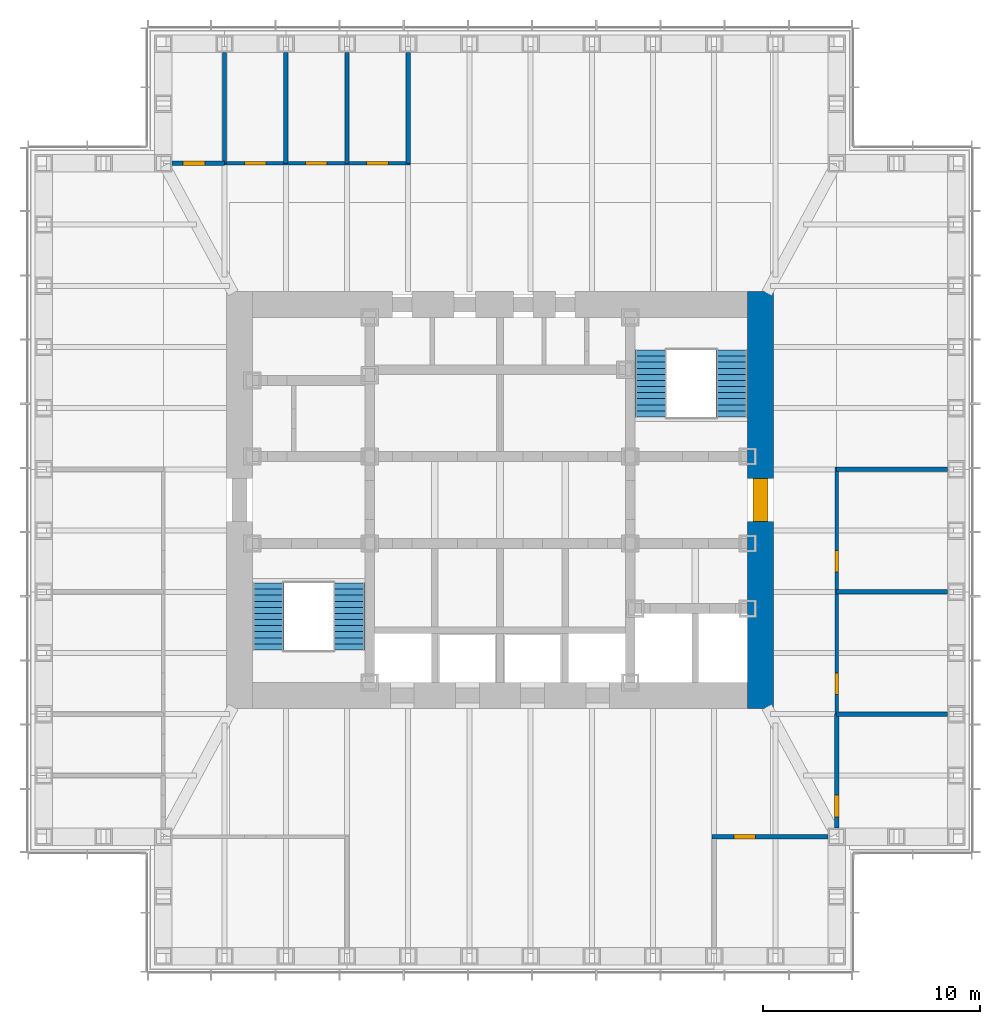
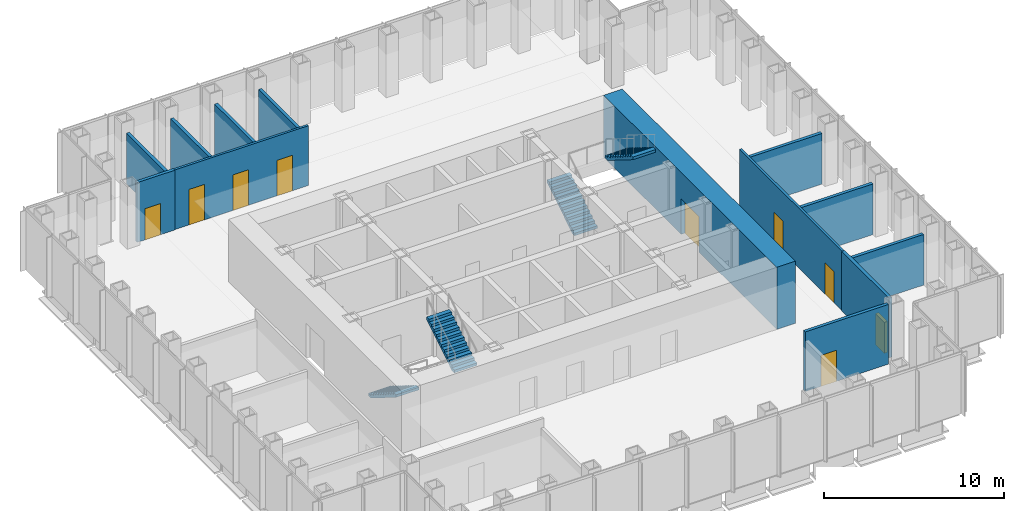
# One storey, part 10 of 16: 13 walls, 9 doors, 4 stair flights, 9 openings, 2 elements without a shape of their own.
"""IFC4 building model written with IfcOpenShell, lengths in metres."""

from ifc_helpers import new_model, si_unit, direction, frame, frame_2d, origin, place, context, subcontext, project, spatial, polyline, rectangle, outline, extrude, material, layer, layer_set, type_object, element, fill, aggregate, save


model = new_model("IFC4")

# Units and contexts
model_context = context("Model", 3, precision=1e-05, world=origin(), true_north=direction((0.0, 1.0)))
body_context = subcontext(model_context, "Body", "Model", "MODEL_VIEW")
ifc_project = project(units=[si_unit("LENGTHUNIT", "METRE"), si_unit("AREAUNIT", "SQUARE_METRE"), si_unit("VOLUMEUNIT", "CUBIC_METRE"), si_unit("PLANEANGLEUNIT", "RADIAN"), si_unit("MASSUNIT", "GRAM", prefix="KILO")], contexts=[model_context])

# Site, building, storey
site_placement = place(None, origin())
site = spatial("IfcSite", under=ifc_project, at=site_placement, CompositionType="ELEMENT")
building_placement = place(site_placement, origin())
building = spatial("IfcBuilding", under=site, at=building_placement, Name="Daluyong Arena Tower", CompositionType="ELEMENT")
storey_placement = place(building_placement, frame((0.0, 0.0, 235.89990234375)))
storey = spatial("IfcBuildingStorey", under=building, at=storey_placement, Name="L53", CompositionType="ELEMENT", Elevation=235.89990234375)

# Wall, opening, door
ifc_material_1 = material(Name="Concrete fc' 60 MPa", Category="concrete")
ifc_layer_1 = layer(ifc_material_1, 1.199951171875)
ifc_layer_set_1 = layer_set([ifc_layer_1], Name="Concrete fc' 60 MPa")
wall_type_1 = type_object("IfcWallType", Name="Core wall 1200", PredefinedType="SHEAR", material=ifc_layer_set_1)
wall_1_placement = place(storey_placement, frame((68.0, 70.39990234375, 0.0), z_axis=(0.0, 0.0, 1.0), x_axis=(0.0, 1.0, 0.0)))
wall_1 = element("IfcWall", 1, at=wall_1_placement, inside=storey, type_object=wall_type_1, Name="core wall at L53", PredefinedType="SHEAR", context=body_context, shape_type="SweptSolid", body=[
    extrude(rectangle(XDim=19.2001953125, YDim=1.199951171875, at=frame_2d((9.60009765625, 0.0))), origin(), (0.0, 0.0, 1.0), 4.2001953125),
])
opening_1_placement = place(wall_1_placement, frame((8.60009765625, 0.0, 0.0)))
opening_1 = element("IfcOpeningElement", 2, at=opening_1_placement, cuts=wall_1, Name="Opening 53020", PredefinedType="OPENING", context=body_context, shape_type="SweptSolid", body=[
    extrude(rectangle(XDim=2.0, YDim=2.39990234375, at=frame_2d((1.0, 1.199951171875))), frame((0.0, 0.60986328125, 0.0), z_axis=(0.0, -1.0, 0.0), x_axis=(1.0, 0.0, 0.0)), (0.0, 0.0, 1.0), 1.219970703125),
])
ifc_material_2 = material(Name="Steel door, fire rated", Category="steel")
door_type_1 = type_object("IfcDoorType", Name="Core lobby double door 2000", OperationType="DOUBLE_DOOR_SINGLE_SWING", PredefinedType="DOOR", material=ifc_material_2)
door_1_placement = place(opening_1_placement, origin())
door_1 = element("IfcDoor", 3, at=door_1_placement, inside=storey, type_object=door_type_1, Name="core lobby door east 53020", OperationType="DOUBLE_DOOR_SINGLE_SWING", OverallHeight=2.39990234375, OverallWidth=2.0, PredefinedType="DOOR", context=body_context, shape_type="SweptSolid", body=[
    extrude(rectangle(XDim=2.0, YDim=2.39990234375, at=frame_2d((1.0, 1.199951171875))), frame((0.0, 0.35009765625, 0.0), z_axis=(0.0, -1.0, 0.0), x_axis=(1.0, 0.0, 0.0)), (0.0, 0.0, 1.0), 0.699951171875),
])
fill(opening_1, door_1)

# Wall, openings, doors
ifc_material_3 = material(Name="Glazed aluminium partition", Category="aluminium")
ifc_layer_2 = layer(ifc_material_3, 0.14990234375)
ifc_layer_set_2 = layer_set([ifc_layer_2], Name="Glazed aluminium partition")
wall_type_2 = type_object("IfcWallType", Name="Glazed partition 150", PredefinedType="PARTITIONING", material=ifc_layer_set_2)
wall_2_placement = place(storey_placement, frame((43.318115234375, 95.5, 0.0), z_axis=(0.0, 0.0, 1.0), x_axis=(1.0, 0.0, 0.0)))
wall_2 = element("IfcWall", 4, at=wall_2_placement, inside=storey, type_object=wall_type_2, Name="glazed partition at L53", PredefinedType="PARTITIONING", context=body_context, shape_type="SweptSolid", body=[
    extrude(rectangle(XDim=8.5546875, YDim=0.14990234375, at=frame_2d((4.27734375, 0.0))), origin(), (0.0, 0.0, 1.0), 4.0400390625),
])
opening_2_placement = place(wall_2_placement, frame((0.9091796875, 0.0, 0.0)))
opening_2 = element("IfcOpeningElement", 5, at=opening_2_placement, cuts=wall_2, Name="Opening 53036", PredefinedType="OPENING", context=body_context, shape_type="SweptSolid", body=[
    extrude(rectangle(XDim=1.0, YDim=2.39990234375, at=frame_2d((0.5, 1.199951171875))), frame((0.0, 0.0849609375, 0.0), z_axis=(0.0, -1.0, 0.0), x_axis=(1.0, 0.0, 0.0)), (0.0, 0.0, 1.0), 0.169921875),
])
opening_3_placement = place(wall_2_placement, frame((3.727294921875, 0.0, 0.0)))
opening_3 = element("IfcOpeningElement", 6, at=opening_3_placement, cuts=wall_2, Name="Opening 53037", PredefinedType="OPENING", context=body_context, shape_type="SweptSolid", body=[
    extrude(rectangle(XDim=1.0, YDim=2.39990234375, at=frame_2d((0.5, 1.199951171875))), frame((0.0, 0.0849609375, 0.0), z_axis=(0.0, -1.0, 0.0), x_axis=(1.0, 0.0, 0.0)), (0.0, 0.0, 1.0), 0.169921875),
])
opening_4_placement = place(wall_2_placement, frame((6.54541015625, 0.0, 0.0)))
opening_4 = element("IfcOpeningElement", 7, at=opening_4_placement, cuts=wall_2, Name="Opening 53038", PredefinedType="OPENING", context=body_context, shape_type="SweptSolid", body=[
    extrude(rectangle(XDim=1.0, YDim=2.39990234375, at=frame_2d((0.5, 1.199951171875))), frame((0.0, 0.0849609375, 0.0), z_axis=(0.0, -1.0, 0.0), x_axis=(1.0, 0.0, 0.0)), (0.0, 0.0, 1.0), 0.169921875),
])
ifc_material_4 = material(Name="Glazed aluminium door", Category="aluminium")
door_type_2 = type_object("IfcDoorType", Name="Meeting room glazed door 1000", OperationType="SINGLE_SWING_RIGHT", PredefinedType="DOOR", material=ifc_material_4)
door_2_placement = place(opening_2_placement, origin())
door_2 = element("IfcDoor", 8, at=door_2_placement, inside=storey, type_object=door_type_2, Name="focus room door 53036", OperationType="SINGLE_SWING_RIGHT", OverallHeight=2.39990234375, OverallWidth=1.0, PredefinedType="DOOR", context=body_context, shape_type="SweptSolid", body=[
    extrude(rectangle(XDim=1.0, YDim=2.39990234375, at=frame_2d((0.5, 1.199951171875))), frame((0.0, 0.07470703125, 0.0), z_axis=(0.0, -1.0, 0.0), x_axis=(1.0, 0.0, 0.0)), (0.0, 0.0, 1.0), 0.1494140625),
])
fill(opening_2, door_2)
door_3_placement = place(opening_3_placement, origin())
door_3 = element("IfcDoor", 9, at=door_3_placement, inside=storey, type_object=door_type_2, Name="focus room door 53037", OperationType="SINGLE_SWING_RIGHT", OverallHeight=2.39990234375, OverallWidth=1.0, PredefinedType="DOOR", context=body_context, shape_type="SweptSolid", body=[
    extrude(rectangle(XDim=1.0, YDim=2.39990234375, at=frame_2d((0.5, 1.199951171875))), frame((0.0, 0.07470703125, 0.0), z_axis=(0.0, -1.0, 0.0), x_axis=(1.0, 0.0, 0.0)), (0.0, 0.0, 1.0), 0.1494140625),
])
fill(opening_3, door_3)
door_4_placement = place(opening_4_placement, origin())
door_4 = element("IfcDoor", 10, at=door_4_placement, inside=storey, type_object=door_type_2, Name="focus room door 53038", OperationType="SINGLE_SWING_RIGHT", OverallHeight=2.39990234375, OverallWidth=1.0, PredefinedType="DOOR", context=body_context, shape_type="SweptSolid", body=[
    extrude(rectangle(XDim=1.0, YDim=2.39990234375, at=frame_2d((0.5, 1.199951171875))), frame((0.0, 0.07470703125, 0.0), z_axis=(0.0, -1.0, 0.0), x_axis=(1.0, 0.0, 0.0)), (0.0, 0.0, 1.0), 0.1494140625),
])
fill(opening_4, door_4)

wall_3_placement = place(storey_placement, frame((71.5, 70.136474609375, 0.0), z_axis=(0.0, 0.0, 1.0), x_axis=(0.0, 1.0, 0.0)))
wall_3 = element("IfcWall", 11, at=wall_3_placement, inside=storey, type_object=wall_type_2, Name="glazed partition at L53", PredefinedType="PARTITIONING", context=body_context, shape_type="SweptSolid", body=[
    extrude(rectangle(XDim=11.37255859375, YDim=0.14990234375, at=frame_2d((5.686279296875, 0.0))), origin(), (0.0, 0.0, 1.0), 4.0400390625),
])
opening_5_placement = place(wall_3_placement, frame((0.9091796875, 0.0, 0.0)))
opening_5 = element("IfcOpeningElement", 12, at=opening_5_placement, cuts=wall_3, Name="Opening 53033", PredefinedType="OPENING", context=body_context, shape_type="SweptSolid", body=[
    extrude(rectangle(XDim=1.0, YDim=2.10009765625, at=frame_2d((0.5, 1.050048828125))), frame((0.0, 0.0849609375, 0.0), z_axis=(0.0, -1.0, 0.0), x_axis=(1.0, 0.0, 0.0)), (0.0, 0.0, 1.0), 0.169921875),
])
opening_6_placement = place(wall_3_placement, frame((6.54541015625, 0.0, 0.0)))
opening_6 = element("IfcOpeningElement", 13, at=opening_6_placement, cuts=wall_3, Name="Opening 53034", PredefinedType="OPENING", context=body_context, shape_type="SweptSolid", body=[
    extrude(rectangle(XDim=1.0, YDim=2.10009765625, at=frame_2d((0.5, 1.050048828125))), frame((0.0, 0.0849609375, 0.0), z_axis=(0.0, -1.0, 0.0), x_axis=(1.0, 0.0, 0.0)), (0.0, 0.0, 1.0), 0.169921875),
])
ifc_material_5 = material(Name="Timber door", Category="wood")
door_type_3 = type_object("IfcDoorType", Name="Room door 1000", OperationType="SINGLE_SWING_LEFT", PredefinedType="DOOR", material=ifc_material_5)
door_5_placement = place(opening_5_placement, origin())
door_5 = element("IfcDoor", 14, at=door_5_placement, inside=storey, type_object=door_type_3, Name="executive office door 53033", OperationType="SINGLE_SWING_LEFT", OverallHeight=2.10009765625, OverallWidth=1.0, PredefinedType="DOOR", context=body_context, shape_type="SweptSolid", body=[
    extrude(rectangle(XDim=1.0, YDim=2.10009765625, at=frame_2d((0.5, 1.050048828125))), frame((0.0, 0.07470703125, 0.0), z_axis=(0.0, -1.0, 0.0), x_axis=(1.0, 0.0, 0.0)), (0.0, 0.0, 1.0), 0.1494140625),
])
fill(opening_5, door_5)
door_6_placement = place(opening_6_placement, origin())
door_6 = element("IfcDoor", 15, at=door_6_placement, inside=storey, type_object=door_type_3, Name="executive office door 53034", OperationType="SINGLE_SWING_LEFT", OverallHeight=2.10009765625, OverallWidth=1.0, PredefinedType="DOOR", context=body_context, shape_type="SweptSolid", body=[
    extrude(rectangle(XDim=1.0, YDim=2.10009765625, at=frame_2d((0.5, 1.050048828125))), frame((0.0, 0.07470703125, 0.0), z_axis=(0.0, -1.0, 0.0), x_axis=(1.0, 0.0, 0.0)), (0.0, 0.0, 1.0), 0.1494140625),
])
fill(opening_6, door_6)

# Walls
ifc_material_6 = material(Name="Concrete block partition", Category="concrete")
ifc_layer_3 = layer(ifc_material_6, 0.199951171875)
ifc_layer_set_3 = layer_set([ifc_layer_3], Name="Concrete block partition")
wall_type_3 = type_object("IfcWallType", Name="Partition 200", PredefinedType="PARTITIONING", material=ifc_layer_set_3)
for number, where, z_axis, x_axis, name in (
    (16, (71.5, 70.136474609375, 0.0), (0.0, 0.0, 1.0), (1.0, 0.0, 0.0), "partition at L53"),
    (17, (71.5, 75.772705078125, 0.0), (0.0, 0.0, 1.0), (1.0, 0.0, 0.0), "partition at L53"),
    (18, (71.5, 81.4091796875, 0.0), (0.0, 0.0, 1.0), (1.0, 0.0, 0.0), "partition at L53"),
    (19, (43.318115234375, 95.5, 0.0), (0.0, 0.0, 1.0), (0.0, 1.0, 0.0), "partition at L53"),
    (20, (46.136474609375, 95.5, 0.0), (0.0, 0.0, 1.0), (0.0, 1.0, 0.0), "partition at L53"),
    (21, (48.95458984375, 95.5, 0.0), (0.0, 0.0, 1.0), (0.0, 1.0, 0.0), "partition at L53"),
    (22, (51.772705078125, 95.5, 0.0), (0.0, 0.0, 1.0), (0.0, 1.0, 0.0), "partition at L53"),
):
    element("IfcWall", number, at=place(storey_placement, frame(where, z_axis=z_axis, x_axis=x_axis)), inside=storey, type_object=wall_type_3, Name=name, PredefinedType="PARTITIONING", context=body_context, shape_type="SweptSolid", body=[
        extrude(rectangle(XDim=5.10009765625, YDim=0.199951171875, at=frame_2d((2.550048828125, 0.0))), origin(), (0.0, 0.0, 1.0), 3.427978515625),
    ])

# Wall, opening, door
wall_4_placement = place(storey_placement, frame((65.763671875, 64.5, 0.0), z_axis=(0.0, 0.0, 1.0), x_axis=(1.0, 0.0, 0.0)))
wall_4 = element("IfcWall", 23, at=wall_4_placement, inside=storey, type_object=wall_type_3, Name="partition at L53", PredefinedType="PARTITIONING", context=body_context, shape_type="SweptSolid", body=[
    extrude(rectangle(XDim=5.33642578125, YDim=0.199951171875, at=frame_2d((2.668212890625, 0.0))), origin(), (0.0, 0.0, 1.0), 4.0400390625),
])
opening_7_placement = place(wall_4_placement, frame((1.009033203125, 0.0, 0.0)))
opening_7 = element("IfcOpeningElement", 24, at=opening_7_placement, cuts=wall_4, Name="Opening 53031", PredefinedType="OPENING", context=body_context, shape_type="SweptSolid", body=[
    extrude(rectangle(XDim=1.0, YDim=2.10009765625, at=frame_2d((0.5, 1.050048828125))), frame((0.0, 0.10986328125, 0.0), z_axis=(0.0, -1.0, 0.0), x_axis=(1.0, 0.0, 0.0)), (0.0, 0.0, 1.0), 0.219970703125),
])
door_7_placement = place(opening_7_placement, origin())
door_7 = element("IfcDoor", 25, at=door_7_placement, inside=storey, type_object=door_type_3, Name="pantry door 53031", OperationType="SINGLE_SWING_LEFT", OverallHeight=2.10009765625, OverallWidth=1.0, PredefinedType="DOOR", context=body_context, shape_type="SweptSolid", body=[
    extrude(rectangle(XDim=1.0, YDim=2.10009765625, at=frame_2d((0.5, 1.050048828125))), frame((0.0, 0.099609375, 0.0), z_axis=(0.0, -1.0, 0.0), x_axis=(1.0, 0.0, 0.0)), (0.0, 0.0, 1.0), 0.199462890625),
])
fill(opening_7, door_7)

wall_5_placement = place(storey_placement, frame((40.89990234375, 95.5, 0.0), z_axis=(0.0, 0.0, 1.0), x_axis=(1.0, 0.0, 0.0)))
wall_5 = element("IfcWall", 26, at=wall_5_placement, inside=storey, type_object=wall_type_3, Name="partition at L53", PredefinedType="PARTITIONING", context=body_context, shape_type="SweptSolid", body=[
    extrude(rectangle(XDim=2.418212890625, YDim=0.199951171875, at=frame_2d((1.208984375, 0.0))), origin(), (0.0, 0.0, 1.0), 4.0400390625),
])
opening_8_placement = place(wall_5_placement, frame((0.509033203125, 0.0, 0.0)))
opening_8 = element("IfcOpeningElement", 27, at=opening_8_placement, cuts=wall_5, Name="Opening 53035", PredefinedType="OPENING", context=body_context, shape_type="SweptSolid", body=[
    extrude(rectangle(XDim=1.0, YDim=2.10009765625, at=frame_2d((0.5, 1.050048828125))), frame((0.0, 0.10986328125, 0.0), z_axis=(0.0, -1.0, 0.0), x_axis=(1.0, 0.0, 0.0)), (0.0, 0.0, 1.0), 0.219970703125),
])
door_8_placement = place(opening_8_placement, origin())
door_8 = element("IfcDoor", 28, at=door_8_placement, inside=storey, type_object=door_type_3, Name="quiet room door 53035", OperationType="SINGLE_SWING_LEFT", OverallHeight=2.10009765625, OverallWidth=1.0, PredefinedType="DOOR", context=body_context, shape_type="SweptSolid", body=[
    extrude(rectangle(XDim=1.0, YDim=2.10009765625, at=frame_2d((0.5, 1.050048828125))), frame((0.0, 0.099609375, 0.0), z_axis=(0.0, -1.0, 0.0), x_axis=(1.0, 0.0, 0.0)), (0.0, 0.0, 1.0), 0.199462890625),
])
fill(opening_8, door_8)

wall_6_placement = place(storey_placement, frame((71.5, 64.89990234375, 0.0), z_axis=(0.0, 0.0, 1.0), x_axis=(0.0, 1.0, 0.0)))
wall_6 = element("IfcWall", 29, at=wall_6_placement, inside=storey, type_object=wall_type_3, Name="partition at L53", PredefinedType="PARTITIONING", context=body_context, shape_type="SweptSolid", body=[
    extrude(rectangle(XDim=5.236572265625, YDim=0.199951171875, at=frame_2d((2.6181640625, 0.0))), origin(), (0.0, 0.0, 1.0), 4.0400390625),
])
opening_9_placement = place(wall_6_placement, frame((0.509033203125, 0.0, 0.0)))
opening_9 = element("IfcOpeningElement", 30, at=opening_9_placement, cuts=wall_6, Name="Opening 53032", PredefinedType="OPENING", context=body_context, shape_type="SweptSolid", body=[
    extrude(rectangle(XDim=1.0, YDim=2.10009765625, at=frame_2d((0.5, 1.050048828125))), frame((0.0, 0.10986328125, 0.0), z_axis=(0.0, -1.0, 0.0), x_axis=(1.0, 0.0, 0.0)), (0.0, 0.0, 1.0), 0.219970703125),
])
door_9_placement = place(opening_9_placement, origin())
door_9 = element("IfcDoor", 31, at=door_9_placement, inside=storey, type_object=door_type_3, Name="project room door 53032", OperationType="SINGLE_SWING_LEFT", OverallHeight=2.10009765625, OverallWidth=1.0, PredefinedType="DOOR", context=body_context, shape_type="SweptSolid", body=[
    extrude(rectangle(XDim=1.0, YDim=2.10009765625, at=frame_2d((0.5, 1.050048828125))), frame((0.0, 0.099609375, 0.0), z_axis=(0.0, -1.0, 0.0), x_axis=(1.0, 0.0, 0.0)), (0.0, 0.0, 1.0), 0.199462890625),
])
fill(opening_9, door_9)

# Stair, stair flights
ifc_material_7 = material(Name="Concrete fc' 35 MPa", Category="concrete")
stair_type = type_object("IfcStairType", Name="Core exit stair", PredefinedType="HALF_TURN_STAIR", material=ifc_material_7)
stair_1_placement = place(storey_placement, origin())
stair_1 = element("IfcStair", 32, at=stair_1_placement, inside=storey, type_object=stair_type, Name="exit stair A L53", PredefinedType="HALF_TURN_STAIR")
ifc_material_8 = material(Name="Concrete fc' 35 MPa", Category="concrete")
stair_flight_type = type_object("IfcStairFlightType", Name="Core stair flight", PredefinedType="STRAIGHT", material=ifc_material_8)
stair_flight_1_placement = place(storey_placement, frame((45.324951171875, 76.175048828125, 0.0), z_axis=(0.0, 0.0, 1.0), x_axis=(0.0, -1.0, 0.0)))
stair_flight_1 = element("IfcStairFlight", 33, at=stair_flight_1_placement, type_object=stair_flight_type, Name="STA flight 1", NumberOfRisers=12, NumberOfTreads=11, PredefinedType="STRAIGHT", RiserHeight=0.175, TreadLength=0.28, context=body_context, shape_type="SweptSolid", body=[
    extrude(outline(polyline([(0.0, 0.0), (0.0, 0.175048828125), (0.280029296875, 0.175048828125), (0.280029296875, 0.35009765625), (0.56005859375, 0.35009765625), (0.56005859375, 0.52490234375), (0.840087890625, 0.52490234375), (0.840087890625, 0.699951171875), (1.1201171875, 0.699951171875), (1.1201171875, 0.875), (1.39990234375, 0.875), (1.39990234375, 1.050048828125), (1.679931640625, 1.050048828125), (1.679931640625, 1.22509765625), (1.9599609375, 1.22509765625), (1.9599609375, 1.39990234375), (2.239990234375, 1.39990234375), (2.239990234375, 1.574951171875), (2.52001953125, 1.574951171875), (2.52001953125, 1.75), (2.800048828125, 1.75), (2.800048828125, 1.925048828125), (3.080078125, 1.925048828125), (3.080078125, 2.10009765625), (3.080078125, 1.748291015625), (0.28271484375, 0.0), (0.0, 0.0)])), frame((0.0, 0.72509765625, 0.0), z_axis=(0.0, -1.0, 0.0), x_axis=(1.0, 0.0, 0.0)), (0.0, 0.0, 1.0), 1.449951171875),
])
stair_flight_2_placement = place(storey_placement, frame((49.050048828125, 73.094970703125, 2.10009765625), z_axis=(0.0, 0.0, 1.0), x_axis=(0.0, 1.0, 0.0)))
stair_flight_2 = element("IfcStairFlight", 34, at=stair_flight_2_placement, type_object=stair_flight_type, Name="STA flight 2", NumberOfRisers=12, NumberOfTreads=11, PredefinedType="STRAIGHT", RiserHeight=0.175, TreadLength=0.28, context=body_context, shape_type="SweptSolid", body=[
    extrude(outline(polyline([(0.0, 0.0), (0.0, 0.175048828125), (0.280029296875, 0.175048828125), (0.280029296875, 0.35009765625), (0.56005859375, 0.35009765625), (0.56005859375, 0.52490234375), (0.840087890625, 0.52490234375), (0.840087890625, 0.699951171875), (1.1201171875, 0.699951171875), (1.1201171875, 0.875), (1.39990234375, 0.875), (1.39990234375, 1.050048828125), (1.679931640625, 1.050048828125), (1.679931640625, 1.22509765625), (1.9599609375, 1.22509765625), (1.9599609375, 1.39990234375), (2.239990234375, 1.39990234375), (2.239990234375, 1.574951171875), (2.52001953125, 1.574951171875), (2.52001953125, 1.75), (2.800048828125, 1.75), (2.800048828125, 1.925048828125), (3.080078125, 1.925048828125), (3.080078125, 2.10009765625), (3.080078125, 1.748291015625), (0.28271484375, 0.0), (0.0, 0.0)])), frame((0.0, 0.72509765625, 0.0), z_axis=(0.0, -1.0, 0.0), x_axis=(1.0, 0.0, 0.0)), (0.0, 0.0, 1.0), 1.449951171875),
])
aggregate(stair_1, [stair_flight_1, stair_flight_2])

stair_2_placement = place(storey_placement, origin())
stair_2 = element("IfcStair", 35, at=stair_2_placement, inside=storey, type_object=stair_type, Name="exit stair B L53", PredefinedType="HALF_TURN_STAIR")
stair_flight_3_placement = place(storey_placement, frame((62.949951171875, 83.824951171875, 0.0), z_axis=(0.0, 0.0, 1.0), x_axis=(0.0, 1.0, 0.0)))
stair_flight_3 = element("IfcStairFlight", 36, at=stair_flight_3_placement, type_object=stair_flight_type, Name="STB flight 1", NumberOfRisers=12, NumberOfTreads=11, PredefinedType="STRAIGHT", RiserHeight=0.175, TreadLength=0.28, context=body_context, shape_type="SweptSolid", body=[
    extrude(outline(polyline([(0.0, 0.0), (0.0, 0.175048828125), (0.280029296875, 0.175048828125), (0.280029296875, 0.35009765625), (0.56005859375, 0.35009765625), (0.56005859375, 0.52490234375), (0.840087890625, 0.52490234375), (0.840087890625, 0.699951171875), (1.1201171875, 0.699951171875), (1.1201171875, 0.875), (1.39990234375, 0.875), (1.39990234375, 1.050048828125), (1.679931640625, 1.050048828125), (1.679931640625, 1.22509765625), (1.9599609375, 1.22509765625), (1.9599609375, 1.39990234375), (2.239990234375, 1.39990234375), (2.239990234375, 1.574951171875), (2.52001953125, 1.574951171875), (2.52001953125, 1.75), (2.800048828125, 1.75), (2.800048828125, 1.925048828125), (3.080078125, 1.925048828125), (3.080078125, 2.10009765625), (3.080078125, 1.748291015625), (0.28271484375, 0.0), (0.0, 0.0)])), frame((0.0, 0.72509765625, 0.0), z_axis=(0.0, -1.0, 0.0), x_axis=(1.0, 0.0, 0.0)), (0.0, 0.0, 1.0), 1.449951171875),
])
stair_flight_4_placement = place(storey_placement, frame((66.675048828125, 86.905029296875, 2.10009765625), z_axis=(0.0, 0.0, 1.0), x_axis=(0.0, -1.0, 0.0)))
stair_flight_4 = element("IfcStairFlight", 37, at=stair_flight_4_placement, type_object=stair_flight_type, Name="STB flight 2", NumberOfRisers=12, NumberOfTreads=11, PredefinedType="STRAIGHT", RiserHeight=0.175, TreadLength=0.28, context=body_context, shape_type="SweptSolid", body=[
    extrude(outline(polyline([(0.0, 0.0), (0.0, 0.175048828125), (0.280029296875, 0.175048828125), (0.280029296875, 0.35009765625), (0.56005859375, 0.35009765625), (0.56005859375, 0.52490234375), (0.840087890625, 0.52490234375), (0.840087890625, 0.699951171875), (1.1201171875, 0.699951171875), (1.1201171875, 0.875), (1.39990234375, 0.875), (1.39990234375, 1.050048828125), (1.679931640625, 1.050048828125), (1.679931640625, 1.22509765625), (1.9599609375, 1.22509765625), (1.9599609375, 1.39990234375), (2.239990234375, 1.39990234375), (2.239990234375, 1.574951171875), (2.52001953125, 1.574951171875), (2.52001953125, 1.75), (2.800048828125, 1.75), (2.800048828125, 1.925048828125), (3.080078125, 1.925048828125), (3.080078125, 2.10009765625), (3.080078125, 1.748291015625), (0.28271484375, 0.0), (0.0, 0.0)])), frame((0.0, 0.72509765625, 0.0), z_axis=(0.0, -1.0, 0.0), x_axis=(1.0, 0.0, 0.0)), (0.0, 0.0, 1.0), 1.449951171875),
])
aggregate(stair_2, [stair_flight_3, stair_flight_4])

save(model, "model.ifc")
